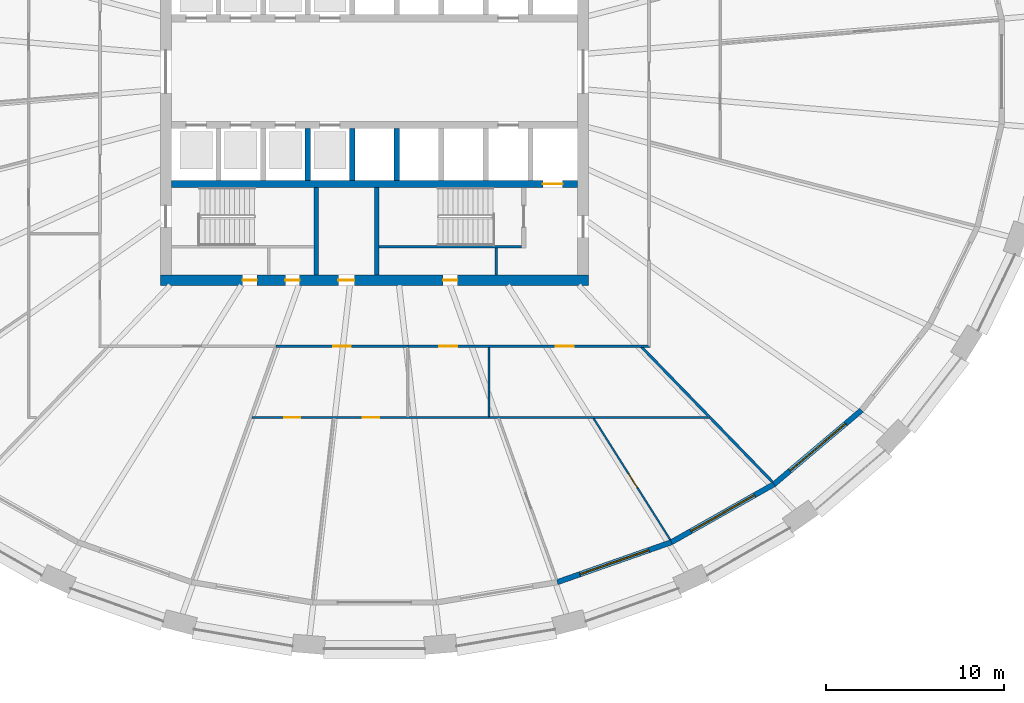
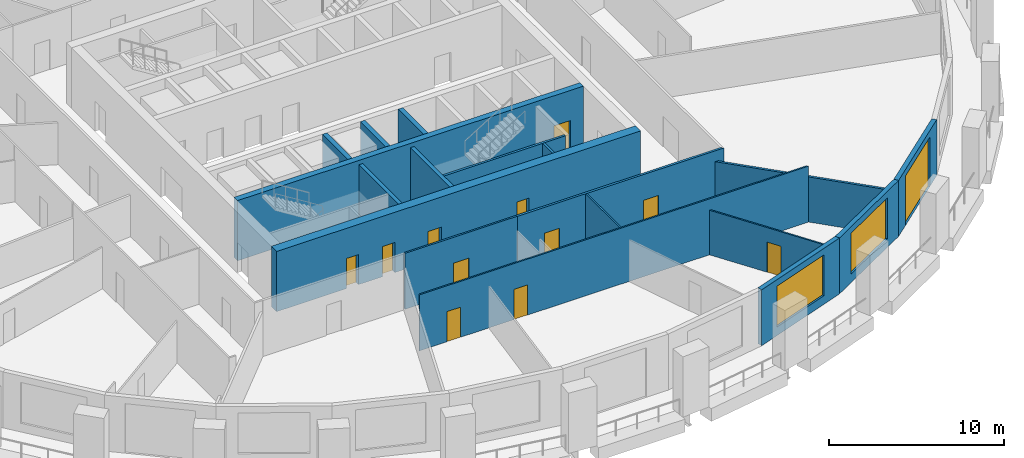
# One storey, part 4 of 12: 18 walls, 12 doors, 2 windows, 14 openings.
"""IFC4 building model written with IfcOpenShell, lengths in metres."""

import ifcopenshell
import ifcopenshell.guid

model = None  # the IFC model being written
_history = None  # IfcOwnerHistory: only IFC2X3 demands one
_inside = {}  # id of a spatial element -> (the spatial element, [elements in it])
_under = {}  # id of a project, library or spatial element -> (it, [spatial elements below it])
_declared = {}  # id of a project -> (the project, [libraries it declares])
_typed = {}  # id of a type object -> (the type object, [elements of that type])
_made_of = {}  # id of a material, layer set ... -> (it, [elements and type objects made of it])


def new_model(schema):
    """Start an empty IFC model of exactly this schema.

    Asked for "IFC4X3", IfcOpenShell would pick the latest addendum, in which some entities
    have other attributes; the version numbers below select the first issue.
    IFC2X3 requires an IfcOwnerHistory on every rooted entity: one is made here for all.
    """
    global model, _history
    if schema == "IFC4X3":
        model = ifcopenshell.file(schema_version=(4, 3, 0, 0))
    else:
        model = ifcopenshell.file(schema=schema)
    _inside.clear()
    _under.clear()
    _declared.clear()
    _typed.clear()
    _made_of.clear()
    _history = None
    if model.schema == "IFC2X3":
        org = make("IfcOrganization", Name="unknown")
        user = make(
            "IfcPersonAndOrganization",
            ThePerson=make("IfcPerson", FamilyName="unknown"),
            TheOrganization=org,
        )
        app = make(
            "IfcApplication",
            ApplicationDeveloper=org,
            Version="unknown",
            ApplicationFullName="unknown",
            ApplicationIdentifier="unknown",
        )
        _history = make(
            "IfcOwnerHistory",
            OwningUser=user,
            OwningApplication=app,
            ChangeAction="ADDED",
            CreationDate=0,
        )
    return model


def make(cls, **values):
    """One entity of the class cls with the attributes given. An attribute that is None is left unset."""
    return model.create_entity(
        cls, **{name: value for name, value in values.items() if value is not None}
    )


def rooted(cls, **values):
    """An entity with a GlobalId (a new one), such as an element, a storey or a relation."""
    return make(cls, GlobalId=ifcopenshell.guid.new(), OwnerHistory=_history, **values)


def si_unit(unit_type, name, prefix=None):
    """IfcSIUnit, for example si_unit("LENGTHUNIT", "METRE", prefix="MILLI")."""
    return make("IfcSIUnit", UnitType=unit_type, Prefix=prefix, Name=name)


def assignment(units):
    """IfcUnitAssignment: the units of a project."""
    return None if units is None else make("IfcUnitAssignment", Units=units)


def point(xyz):
    """IfcCartesianPoint."""
    return None if xyz is None else make("IfcCartesianPoint", Coordinates=xyz)


def direction(xyz):
    """IfcDirection."""
    return None if xyz is None else make("IfcDirection", DirectionRatios=xyz)


def frame(location, z_axis=None, x_axis=None):
    """IfcAxis2Placement3D, a coordinate frame: its origin and axes. An axis left out is left unset."""
    return make(
        "IfcAxis2Placement3D",
        Location=point(location),
        Axis=direction(z_axis),
        RefDirection=direction(x_axis),
    )


def frame_2d(location, x_axis=None):
    """IfcAxis2Placement2D, a coordinate frame in the plane: its origin and x axis."""
    return make(
        "IfcAxis2Placement2D", Location=point(location), RefDirection=direction(x_axis)
    )


def origin():
    """The frame at (0, 0, 0) with its axes left unset."""
    return frame((0.0, 0.0, 0.0))


def place(relative_to, where):
    """IfcLocalPlacement: puts the frame where relative to a parent placement (None: the world)."""
    return make(
        "IfcLocalPlacement", PlacementRelTo=relative_to, RelativePlacement=where
    )


def context(
    kind, dimensions, precision=None, world=None, true_north=None, identifier=None
):
    """IfcGeometricRepresentationContext, for example the 3D "Model" context."""
    return make(
        "IfcGeometricRepresentationContext",
        ContextIdentifier=identifier,
        ContextType=kind,
        CoordinateSpaceDimension=dimensions,
        Precision=precision,
        WorldCoordinateSystem=world,
        TrueNorth=true_north,
    )


def subcontext(parent, identifier, kind, view, scale=None):
    """IfcGeometricRepresentationSubContext, for example "Body" below "Model"."""
    return make(
        "IfcGeometricRepresentationSubContext",
        ContextIdentifier=identifier,
        ContextType=kind,
        ParentContext=parent,
        TargetScale=scale,
        TargetView=view,
    )


def project(units=None, contexts=None):
    """IfcProject with its units and contexts."""
    return rooted(
        "IfcProject",
        Name="project",
        RepresentationContexts=contexts,
        UnitsInContext=assignment(units),
    )


def spatial(cls, under=None, at=None, **own):
    """A site, building, storey or space (cls), placed at a placement, below another one or the project."""
    s = rooted(cls, ObjectPlacement=at, **own)
    if under is not None:
        _under.setdefault(under.id(), (under, []))[1].append(s)
    return s


def polyline(points):
    """IfcPolyline through the points."""
    return make("IfcPolyline", Points=[point(p) for p in points])


def profile(cls, at=None, kind="AREA", **sizes):
    """A parametric profile (cls). Its sizes go by their IFC names, for example OverallWidth=200.0."""
    return make(cls, ProfileType=kind, Position=at, **sizes)


def rectangle(**sizes):
    """IfcRectangleProfileDef."""
    return profile("IfcRectangleProfileDef", **sizes)


def outline(outer, holes=None, kind="AREA"):
    """IfcArbitraryClosedProfileDef: a profile drawn as a closed curve; with holes, ...WithVoids."""
    if holes is None:
        return make("IfcArbitraryClosedProfileDef", ProfileType=kind, OuterCurve=outer)
    return make(
        "IfcArbitraryProfileDefWithVoids",
        ProfileType=kind,
        OuterCurve=outer,
        InnerCurves=holes,
    )


def extrude(swept, where, along, depth):
    """IfcExtrudedAreaSolid: the profile swept, set in the frame where, extruded along a direction by depth."""
    return make(
        "IfcExtrudedAreaSolid",
        SweptArea=swept,
        Position=where,
        ExtrudedDirection=direction(along),
        Depth=depth,
    )


def shape(context_of_items, identifier, shape_type, items):
    """IfcShapeRepresentation: the items that make up one representation, for example the "Body"."""
    return make(
        "IfcShapeRepresentation",
        ContextOfItems=context_of_items,
        RepresentationIdentifier=identifier,
        RepresentationType=shape_type,
        Items=items,
    )


def material(Name=None, Category=None):
    """IfcMaterial."""
    return make("IfcMaterial", Name=Name, Category=Category)


def layer(
    of_material, thickness, ventilated=None, Name=None, Category=None, Priority=None
):
    """IfcMaterialLayer: one layer of a wall or slab, of a material (None: an air gap)."""
    return make(
        "IfcMaterialLayer",
        Material=of_material,
        LayerThickness=thickness,
        IsVentilated=ventilated,
        Name=Name,
        Category=Category,
        Priority=Priority,
    )


def layer_set(layers, Name=None):
    """IfcMaterialLayerSet."""
    return make("IfcMaterialLayerSet", MaterialLayers=layers, LayerSetName=Name)


def made_of(thing, what):
    """Note that an element or type object is made of a material, layer set ...; save() writes the relation."""
    if what is not None:
        _made_of.setdefault(what.id(), (what, []))[1].append(thing)
    return thing


def type_object(cls, material=None, **own):
    """A type object (cls), such as IfcWallType, which elements share."""
    return made_of(rooted(cls, **own), material)


def element(
    cls,
    number,
    at=None,
    inside=None,
    cuts=None,
    type_object=None,
    material=None,
    context=None,
    identifier="Body",
    shape_type=None,
    held_by="IfcProductDefinitionShape",
    body=None,
    shapes=None,
    **own,
):
    """One element of the class cls, such as IfcWall. Its Tag is "e" and its number.

    at: its placement. inside: the storey or other place that contains it. cuts: it is an
    opening in that element (IfcRelVoidsElement). A single representation is given by context,
    identifier, shape_type and body (its items); several are given by shapes. held_by: the class
    of the entity that holds the representations. save() writes the other relations.
    """
    e = rooted(cls, Tag="e%d" % number, ObjectPlacement=at, **own)
    if body is not None:
        shapes = [shape(context, identifier, shape_type, body)]
    if shapes is not None:
        e.Representation = make(held_by, Representations=shapes)
    if inside is not None:
        _inside.setdefault(inside.id(), (inside, []))[1].append(e)
    if cuts is not None:
        rooted(
            "IfcRelVoidsElement", RelatingBuildingElement=cuts, RelatedOpeningElement=e
        )
    if type_object is not None:
        _typed.setdefault(type_object.id(), (type_object, []))[1].append(e)
    return made_of(e, material)


def fill(opening, filler):
    """IfcRelFillsElement: the door or window that sits in an opening."""
    return rooted(
        "IfcRelFillsElement",
        RelatingOpeningElement=opening,
        RelatedBuildingElement=filler,
    )


def aggregate(whole, parts):
    """IfcRelAggregates: a whole, such as a stair, and the parts it consists of."""
    return rooted("IfcRelAggregates", RelatingObject=whole, RelatedObjects=parts)


def save(model, path):
    """Write the relations noted so far, then the file.

    IfcRelAggregates (storeys below a building ...), IfcRelContainedInSpatialStructure (elements
    in a storey), IfcRelDefinesByType, IfcRelAssociatesMaterial and IfcRelDeclares: one each for
    every whole, place, type object, material and project.
    """
    for whole, parts in _under.values():
        aggregate(whole, parts)
    for where, things in _inside.values():
        rooted(
            "IfcRelContainedInSpatialStructure",
            RelatedElements=things,
            RelatingStructure=where,
        )
    for kind, things in _typed.values():
        rooted("IfcRelDefinesByType", RelatedObjects=things, RelatingType=kind)
    for what, things in _made_of.values():
        rooted("IfcRelAssociatesMaterial", RelatedObjects=things, RelatingMaterial=what)
    for by, libraries in _declared.values():
        rooted("IfcRelDeclares", RelatingContext=by, RelatedDefinitions=libraries)
    model.write(path)


model = new_model("IFC4")

# Units and contexts
model_context = context("Model", 3, precision=1e-05, world=origin(), true_north=direction((0.0, 1.0)))
body_context = subcontext(model_context, "Body", "Model", "MODEL_VIEW")
ifc_project = project(units=[si_unit("LENGTHUNIT", "METRE"), si_unit("AREAUNIT", "SQUARE_METRE"), si_unit("VOLUMEUNIT", "CUBIC_METRE"), si_unit("PLANEANGLEUNIT", "RADIAN"), si_unit("MASSUNIT", "GRAM", prefix="KILO")], contexts=[model_context])

# Site, building, storey
site_placement = place(None, origin())
site = spatial("IfcSite", under=ifc_project, at=site_placement, CompositionType="ELEMENT")
building_placement = place(site_placement, origin())
building = spatial("IfcBuilding", under=site, at=building_placement, Name="Halqa Exchange Tower", CompositionType="ELEMENT")
storey_placement = place(building_placement, frame((0.0, 0.0, 31.89990234375)))
storey = spatial("IfcBuildingStorey", under=building, at=storey_placement, Name="L06", CompositionType="ELEMENT", Elevation=31.89990234375)

# Wall, openings, doors
ifc_material_1 = material(Name="Fire-rated gypsum board")
ifc_layer_1 = layer(ifc_material_1, 0.14990234375)
ifc_layer_set_1 = layer_set([ifc_layer_1], Name="Fire-rated gypsum board")
wall_type_1 = type_object("IfcWallType", Name="Fire partition EI 60 150", PredefinedType="PARTITIONING", material=ifc_layer_set_1)
wall_1_placement = place(storey_placement, frame((1.8701171875, -15.39990234375, 0.0), z_axis=(0.0, 0.0, 1.0), x_axis=(1.0, 0.0, 0.0)))
wall_1 = element("IfcWall", 1, at=wall_1_placement, inside=storey, type_object=wall_type_1, Name="L06-PWL-030", PredefinedType="PARTITIONING", context=body_context, shape_type="SweptSolid", body=[
    extrude(outline(polyline([(0.0, -0.074951171875), (1.943603515625, -0.074951171875), (3.886962890625, -0.074951171875), (5.83056640625, -0.074951171875), (7.774169921875, -0.074951171875), (9.7177734375, -0.074951171875), (11.6611328125, -0.074951171875), (13.604736328125, -0.074951171875), (13.454833984375, 0.074951171875), (11.53271484375, 0.074951171875), (9.610595703125, 0.074951171875), (7.6884765625, 0.074951171875), (5.766357421875, 0.074951171875), (3.84423828125, 0.074951171875), (1.922119140625, 0.074951171875), (0.0, 0.074951171875), (0.0, -0.074951171875)])), origin(), (0.0, 0.0, 1.0), 3.900146484375),
])
opening_1_placement = place(wall_1_placement, frame((1.77490234375, 0.0, 0.0)))
opening_1 = element("IfcOpeningElement", 2, at=opening_1_placement, cuts=wall_1, Name="Opening 01-15", PredefinedType="OPENING", context=body_context, shape_type="SweptSolid", body=[
    extrude(rectangle(XDim=1.0, YDim=2.10009765625, at=frame_2d((0.5, 1.050048828125))), frame((0.0, 0.0869140625, 0.0), z_axis=(0.0, -1.0, 0.0), x_axis=(1.0, 0.0, 0.0)), (0.0, 0.0, 1.0), 0.173828125),
])
opening_2_placement = place(wall_1_placement, frame((8.31005859375, 0.0, 0.0)))
opening_2 = element("IfcOpeningElement", 3, at=opening_2_placement, cuts=wall_1, Name="Opening 01-16", PredefinedType="OPENING", context=body_context, shape_type="SweptSolid", body=[
    extrude(rectangle(XDim=1.0, YDim=2.10009765625, at=frame_2d((0.5, 1.050048828125))), frame((0.0, 0.0869140625, 0.0), z_axis=(0.0, -1.0, 0.0), x_axis=(1.0, 0.0, 0.0)), (0.0, 0.0, 1.0), 0.173828125),
])
ifc_material_2 = material(Name="Steel fire door leaf", Category="steel")
door_type_1 = type_object("IfcDoorType", Name="Fire door FD30S 1000 x 2100", OperationType="SINGLE_SWING_LEFT", PredefinedType="DOOR", material=ifc_material_2)
door_1_placement = place(opening_1_placement, frame((1.0, 0.0, 0.0), z_axis=(0.0, 0.0, 1.0), x_axis=(-1.0, 0.0, 0.0)))
door_1 = element("IfcDoor", 4, at=door_1_placement, inside=storey, type_object=door_type_1, Name="L06-IDR-015", OperationType="SINGLE_SWING_RIGHT", OverallHeight=2.10009765625, OverallWidth=1.0, PredefinedType="DOOR", context=body_context, shape_type="SweptSolid", body=[
    extrude(rectangle(XDim=1.0, YDim=2.10009765625, at=frame_2d((0.5, 1.050048828125))), frame((0.0, 0.02490234375, 0.0), z_axis=(0.0, -1.0, 0.0), x_axis=(1.0, 0.0, 0.0)), (0.0, 0.0, 1.0), 0.050048828125),
])
fill(opening_1, door_1)
door_2_placement = place(opening_2_placement, frame((1.0, 0.0, 0.0), z_axis=(0.0, 0.0, 1.0), x_axis=(-1.0, 0.0, 0.0)))
door_2 = element("IfcDoor", 5, at=door_2_placement, inside=storey, type_object=door_type_1, Name="L06-IDR-016", OperationType="SINGLE_SWING_RIGHT", OverallHeight=2.10009765625, OverallWidth=1.0, PredefinedType="DOOR", context=body_context, shape_type="SweptSolid", body=[
    extrude(rectangle(XDim=1.0, YDim=2.10009765625, at=frame_2d((0.5, 1.050048828125))), frame((0.0, 0.02490234375, 0.0), z_axis=(0.0, -1.0, 0.0), x_axis=(1.0, 0.0, 0.0)), (0.0, 0.0, 1.0), 0.050048828125),
])
fill(opening_2, door_2)

# Wall
wall_2_placement = place(storey_placement, frame((14.96240234375, -15.423095703125, 0.0), z_axis=(0.0, 0.0, 1.0), x_axis=(0.69624947088, -0.717799884578, 0.0)))
element("IfcWall", 6, at=wall_2_placement, inside=storey, type_object=wall_type_1, Name="L06-PWL-038", PredefinedType="PARTITIONING", context=body_context, shape_type="SweptSolid", body=[
    extrude(outline(polyline([(0.0, -0.074951171875), (1.79931640625, -0.074951171875), (3.5986328125, -0.074951171875), (5.39794921875, -0.074951171875), (5.46533203125, -0.005615234375), (5.53662109375, -0.074951171875), (7.21044921875, -0.074951171875), (8.884033203125, -0.074951171875), (10.557861328125, -0.074951171875), (10.558349609375, -0.0732421875), (10.558349609375, 0.074951171875), (8.82275390625, 0.074951171875), (7.087158203125, 0.074951171875), (5.3515625, 0.074951171875), (3.6162109375, 0.074951171875), (1.880615234375, 0.074951171875), (0.14501953125, 0.074951171875), (0.0, -0.074462890625), (0.0, -0.074951171875)])), origin(), (0.0, 0.0, 1.0), 3.147216796875),
])

# Wall, opening, door
ifc_material_3 = material(Name="Fire-rated glazing", Category="glass")
ifc_layer_2 = layer(ifc_material_3, 0.1201171875)
ifc_layer_set_2 = layer_set([ifc_layer_2], Name="Fire-rated glazing")
wall_type_2 = type_object("IfcWallType", Name="Glazed fire partition EI 60 120", PredefinedType="PARTITIONING", material=ifc_layer_set_2)
wall_3_placement = place(storey_placement, frame((1.8701171875, -15.39990234375, 0.0), z_axis=(0.0, 0.0, 1.0), x_axis=(-1.0, 0.0, 0.0)))
wall_3 = element("IfcWall", 7, at=wall_3_placement, inside=storey, type_object=wall_type_2, Name="L06-PWL-028", PredefinedType="PARTITIONING", context=body_context, shape_type="SweptSolid", body=[
    extrude(rectangle(XDim=7.39013671875, YDim=0.1201171875, at=frame_2d((3.695068359375, 0.0))), origin(), (0.0, 0.0, 1.0), 3.900146484375),
])
opening_3_placement = place(wall_3_placement, frame((3.195068359375, 0.0, 0.0)))
opening_3 = element("IfcOpeningElement", 8, at=opening_3_placement, cuts=wall_3, Name="Opening 01-14", PredefinedType="OPENING", context=body_context, shape_type="SweptSolid", body=[
    extrude(rectangle(XDim=1.0, YDim=2.10009765625, at=frame_2d((0.5, 1.050048828125))), frame((0.0, 0.072021484375, 0.0), z_axis=(0.0, -1.0, 0.0), x_axis=(1.0, 0.0, 0.0)), (0.0, 0.0, 1.0), 0.14404296875),
])
door_3_placement = place(opening_3_placement, origin())
door_3 = element("IfcDoor", 9, at=door_3_placement, inside=storey, type_object=door_type_1, Name="L06-IDR-014", OperationType="SINGLE_SWING_LEFT", OverallHeight=2.10009765625, OverallWidth=1.0, PredefinedType="DOOR", context=body_context, shape_type="SweptSolid", body=[
    extrude(rectangle(XDim=1.0, YDim=2.10009765625, at=frame_2d((0.5, 1.050048828125))), frame((0.0, 0.02490234375, 0.0), z_axis=(0.0, -1.0, 0.0), x_axis=(1.0, 0.0, 0.0)), (0.0, 0.0, 1.0), 0.050048828125),
])
fill(opening_3, door_3)

# Wall, openings, doors
ifc_material_4 = material(Name="Gypsum board")
ifc_layer_3 = layer(ifc_material_4, 0.10009765625)
ifc_layer_set_3 = layer_set([ifc_layer_3], Name="Gypsum board")
wall_type_3 = type_object("IfcWallType", Name="Partition 100 gypsum", PredefinedType="PARTITIONING", material=ifc_layer_set_3)
wall_4_placement = place(storey_placement, frame((-6.89404296875, -19.39990234375, 0.0), z_axis=(0.0, 0.0, 1.0), x_axis=(1.0, 0.0, 0.0)))
wall_4 = element("IfcWall", 10, at=wall_4_placement, inside=storey, type_object=wall_type_3, Name="L06-PWL-024", PredefinedType="PARTITIONING", context=body_context, shape_type="SweptSolid", body=[
    extrude(outline(polyline([(0.0, -0.050048828125), (1.52587890625, -0.050048828125), (3.052001953125, -0.050048828125), (4.577880859375, -0.050048828125), (4.578125, -0.049072265625), (4.587158203125, -0.050048828125), (6.4541015625, -0.050048828125), (8.321044921875, -0.050048828125), (10.18798828125, -0.050048828125), (12.05517578125, -0.050048828125), (13.922119140625, -0.050048828125), (13.9248046875, -0.049072265625), (13.925048828125, -0.050048828125), (15.6962890625, -0.050048828125), (17.467529296875, -0.050048828125), (19.23876953125, -0.050048828125), (19.2431640625, -0.04736328125), (19.24462890625, -0.050048828125), (20.847900390625, -0.050048828125), (22.451171875, -0.050048828125), (24.05419921875, -0.050048828125), (25.657470703125, -0.050048828125), (25.657470703125, -0.049560546875), (25.614013671875, -0.004638671875), (25.614013671875, -0.004638671875), (25.56103515625, 0.050048828125), (23.818603515625, 0.050048828125), (22.076171875, 0.050048828125), (20.333740234375, 0.050048828125), (18.59130859375, 0.050048828125), (16.848876953125, 0.050048828125), (15.1064453125, 0.050048828125), (13.364013671875, 0.050048828125), (13.364013671875, 0.0498046875), (13.26416015625, 0.0498046875), (13.26416015625, 0.050048828125), (11.78076171875, 0.050048828125), (10.29736328125, 0.050048828125), (8.81396484375, 0.050048828125), (8.81396484375, 0.0498046875), (8.714111328125, 0.0498046875), (8.714111328125, 0.050048828125), (6.978271484375, 0.050048828125), (5.24267578125, 0.050048828125), (3.507080078125, 0.050048828125), (1.771240234375, 0.050048828125), (0.03564453125, 0.050048828125), (0.0, -0.04931640625), (0.0, -0.050048828125)])), origin(), (0.0, 0.0, 1.0), 3.900146484375),
])
opening_4_placement = place(wall_4_placement, frame((6.2490234375, 0.0, 0.0)))
opening_4 = element("IfcOpeningElement", 11, at=opening_4_placement, cuts=wall_4, Name="Opening 01-28", PredefinedType="OPENING", context=body_context, shape_type="SweptSolid", body=[
    extrude(rectangle(XDim=0.89990234375, YDim=2.10009765625, at=frame_2d((0.449951171875, 1.050048828125))), frame((0.0, 0.06201171875, 0.0), z_axis=(0.0, -1.0, 0.0), x_axis=(1.0, 0.0, 0.0)), (0.0, 0.0, 1.0), 0.1240234375),
])
opening_5_placement = place(wall_4_placement, frame((1.833984375, 0.0, 0.0)))
opening_5 = element("IfcOpeningElement", 12, at=opening_5_placement, cuts=wall_4, Name="Opening 01-29", PredefinedType="OPENING", context=body_context, shape_type="SweptSolid", body=[
    extrude(rectangle(XDim=0.89990234375, YDim=2.10009765625, at=frame_2d((0.449951171875, 1.050048828125))), frame((0.0, 0.06201171875, 0.0), z_axis=(0.0, -1.0, 0.0), x_axis=(1.0, 0.0, 0.0)), (0.0, 0.0, 1.0), 0.1240234375),
])
ifc_material_5 = material(Name="Timber door leaf", Category="wood")
door_type_2 = type_object("IfcDoorType", Name="Door 900 x 2100", OperationType="SINGLE_SWING_LEFT", PredefinedType="DOOR", material=ifc_material_5)
door_4_placement = place(opening_4_placement, origin())
door_4 = element("IfcDoor", 13, at=door_4_placement, inside=storey, type_object=door_type_2, Name="L06-IDR-028", OperationType="SINGLE_SWING_LEFT", OverallHeight=2.10009765625, OverallWidth=0.89990234375, PredefinedType="DOOR", context=body_context, shape_type="SweptSolid", body=[
    extrude(rectangle(XDim=0.89990234375, YDim=2.10009765625, at=frame_2d((0.449951171875, 1.050048828125))), frame((0.0, 0.02490234375, 0.0), z_axis=(0.0, -1.0, 0.0), x_axis=(1.0, 0.0, 0.0)), (0.0, 0.0, 1.0), 0.050048828125),
])
fill(opening_4, door_4)
door_5_placement = place(opening_5_placement, origin())
door_5 = element("IfcDoor", 14, at=door_5_placement, inside=storey, type_object=door_type_2, Name="L06-IDR-029", OperationType="SINGLE_SWING_RIGHT", OverallHeight=2.10009765625, OverallWidth=0.89990234375, PredefinedType="DOOR", context=body_context, shape_type="SweptSolid", body=[
    extrude(rectangle(XDim=0.89990234375, YDim=2.10009765625, at=frame_2d((0.449951171875, 1.050048828125))), frame((0.0, 0.02490234375, 0.0), z_axis=(0.0, -1.0, 0.0), x_axis=(1.0, 0.0, 0.0)), (0.0, 0.0, 1.0), 0.050048828125),
])
fill(opening_5, door_5)

# Wall
wall_5_placement = place(storey_placement, frame((6.419921875, -15.47509765625, 0.0), z_axis=(0.0, 0.0, 1.0), x_axis=(0.0, -1.0, 0.0)))
element("IfcWall", 15, at=wall_5_placement, inside=storey, type_object=wall_type_3, Name="L06-PWL-032", PredefinedType="PARTITIONING", context=body_context, shape_type="SweptSolid", body=[
    extrude(rectangle(XDim=3.875, YDim=0.10009765625, at=frame_2d((1.9375, 0.0))), origin(), (0.0, 0.0, 1.0), 3.900146484375),
])

# Wall, opening, door
wall_6_placement = place(storey_placement, frame((12.27490234375, -19.423583984375, 0.0), z_axis=(0.0, 0.0, 1.0), x_axis=(0.533945273126, -0.845519038997, 0.0)))
wall_6 = element("IfcWall", 16, at=wall_6_placement, inside=storey, type_object=wall_type_3, Name="L06-PWL-035", PredefinedType="PARTITIONING", context=body_context, shape_type="SweptSolid", body=[
    extrude(outline(polyline([(0.0, -0.050048828125), (1.614013671875, -0.050048828125), (3.228271484375, -0.050048828125), (4.84228515625, -0.050048828125), (6.456298828125, -0.050048828125), (8.070556640625, -0.050048828125), (8.082763671875, 0.003173828125), (8.0849609375, 0.0498046875), (8.0849609375, 0.050048828125), (6.48046875, 0.050048828125), (4.876220703125, 0.050048828125), (3.271728515625, 0.050048828125), (1.667236328125, 0.050048828125), (0.062744140625, 0.050048828125), (0.0, -0.049560546875), (0.0, -0.050048828125)])), origin(), (0.0, 0.0, 1.0), 3.110107421875),
])
opening_6_placement = place(wall_6_placement, frame((3.7265625, 0.0, 0.0)))
opening_6 = element("IfcOpeningElement", 17, at=opening_6_placement, cuts=wall_6, Name="Opening 01-31", PredefinedType="OPENING", context=body_context, shape_type="SweptSolid", body=[
    extrude(rectangle(XDim=0.89990234375, YDim=2.10009765625, at=frame_2d((0.449951171875, 1.050048828125))), frame((0.0, 0.06201171875, 0.0), z_axis=(0.0, -1.0, 0.0), x_axis=(1.0, 0.0, 0.0)), (0.0, 0.0, 1.0), 0.1240234375),
])
door_6_placement = place(opening_6_placement, origin())
door_6 = element("IfcDoor", 18, at=door_6_placement, inside=storey, type_object=door_type_2, Name="L06-IDR-031", OperationType="SINGLE_SWING_RIGHT", OverallHeight=2.10009765625, OverallWidth=0.89990234375, PredefinedType="DOOR", context=body_context, shape_type="SweptSolid", body=[
    extrude(rectangle(XDim=0.89990234375, YDim=2.10009765625, at=frame_2d((0.449951171875, 1.050048828125))), frame((0.0, 0.02490234375, 0.0), z_axis=(0.0, -1.0, 0.0), x_axis=(1.0, 0.0, 0.0)), (0.0, 0.0, 1.0), 0.050048828125),
])
fill(opening_6, door_6)

# Walls
ifc_layer_4 = layer(ifc_material_4, 0.14990234375)
ifc_layer_set_4 = layer_set([ifc_layer_4], Name="Gypsum board")
wall_type_4 = type_object("IfcWallType", Name="Penthouse riser wall 150 gypsum", PredefinedType="PARTITIONING", material=ifc_layer_set_4)
wall_7_placement = place(storey_placement, frame((6.824951171875, -11.39990234375, 0.0), z_axis=(0.0, 0.0, 1.0), x_axis=(0.0, 1.0, 0.0)))
element("IfcWall", 19, at=wall_7_placement, inside=storey, type_object=wall_type_4, Name="Firefighting lobby west wall S", PredefinedType="PARTITIONING", context=body_context, shape_type="SweptSolid", body=[
    extrude(rectangle(XDim=1.5, YDim=0.14990234375, at=frame_2d((0.75, 0.0))), origin(), (0.0, 0.0, 1.0), 3.900146484375),
])
ifc_material_6 = material(Name="Concrete C60/75", Category="concrete")
ifc_layer_5 = layer(ifc_material_6, 0.300048828125)
ifc_layer_set_5 = layer_set([ifc_layer_5], Name="Concrete C60/75")
wall_type_5 = type_object("IfcWallType", Name="RC core wall 300", PredefinedType="SHEAR", material=ifc_layer_set_5)
for number, where, z_axis, x_axis, name in (
    (20, (-3.75, -6.10009765625, 0.0), (0.0, 0.0, 1.0), (0.0, 1.0, 0.0), "Shaft divider S3"),
    (21, (-1.25, -6.10009765625, 0.0), (0.0, 0.0, 1.0), (0.0, 1.0, 0.0), "Shaft divider S4"),
    (22, (1.25, -6.10009765625, 0.0), (0.0, 0.0, 1.0), (0.0, 1.0, 0.0), "Shaft divider S5"),
):
    element("IfcWall", number, at=place(storey_placement, frame(where, z_axis=z_axis, x_axis=x_axis)), inside=storey, type_object=wall_type_5, Name=name, PredefinedType="SHEAR", context=body_context, shape_type="SweptSolid", body=[
        extrude(rectangle(XDim=2.900146484375, YDim=0.300048828125, at=frame_2d((1.4501953125, 0.0))), origin(), (0.0, 0.0, 1.0), 4.2001953125),
    ])

# Wall, opening, door
ifc_material_7 = material(Name="Concrete C80/95", Category="concrete")
ifc_layer_6 = layer(ifc_material_7, 0.39990234375)
ifc_layer_set_6 = layer_set([ifc_layer_6], Name="Concrete C80/95")
wall_type_6 = type_object("IfcWallType", Name="RC core wall 400 C80/95", PredefinedType="SHEAR", material=ifc_layer_set_6)
wall_8_placement = place(storey_placement, frame((-11.39990234375, -6.300048828125, 0.0), z_axis=(0.0, 0.0, 1.0), x_axis=(1.0, 0.0, 0.0)))
wall_8 = element("IfcWall", 23, at=wall_8_placement, inside=storey, type_object=wall_type_6, Name="Lift row back wall S", PredefinedType="SHEAR", context=body_context, shape_type="SweptSolid", body=[
    extrude(rectangle(XDim=22.7998046875, YDim=0.39990234375, at=frame_2d((11.39990234375, 0.0))), origin(), (0.0, 0.0, 1.0), 4.2001953125),
])
opening_7_placement = place(wall_8_placement, frame((20.85009765625, 0.0, 0.0)))
opening_7 = element("IfcOpeningElement", 24, at=opening_7_placement, cuts=wall_8, Name="Opening LD-FF2-T01", PredefinedType="OPENING", context=body_context, shape_type="SweptSolid", body=[
    extrude(rectangle(XDim=1.10009765625, YDim=2.10009765625, at=frame_2d((0.550048828125, 1.050048828125))), frame((0.0, 0.2119140625, 0.0), z_axis=(0.0, -1.0, 0.0), x_axis=(1.0, 0.0, 0.0)), (0.0, 0.0, 1.0), 0.423828125),
])
ifc_material_8 = material(Name="Stainless steel", Category="steel")
door_type_3 = type_object("IfcDoorType", Name="Lift landing door 1100 x 2100", OperationType="SLIDING_TO_LEFT", PredefinedType="DOOR", material=ifc_material_8)
door_7_placement = place(opening_7_placement, origin())
door_7 = element("IfcDoor", 25, at=door_7_placement, inside=storey, type_object=door_type_3, Name="Lift landing door FF2", OperationType="SLIDING_TO_LEFT", OverallHeight=2.10009765625, OverallWidth=1.10009765625, PredefinedType="DOOR", context=body_context, shape_type="SweptSolid", body=[
    extrude(rectangle(XDim=1.10009765625, YDim=2.10009765625, at=frame_2d((0.550048828125, 1.050048828125))), frame((0.0, 0.02490234375, 0.0), z_axis=(0.0, -1.0, 0.0), x_axis=(1.0, 0.0, 0.0)), (0.0, 0.0, 1.0), 0.050048828125),
])
fill(opening_7, door_7)

# Wall, openings, doors
ifc_layer_7 = layer(ifc_material_7, 0.60009765625)
ifc_layer_set_7 = layer_set([ifc_layer_7], Name="Concrete C80/95")
wall_type_7 = type_object("IfcWallType", Name="RC core wall 600 C80/95", PredefinedType="SHEAR", material=ifc_layer_set_7)
wall_9_placement = place(storey_placement, frame((-12.0, -11.699951171875, 0.0), z_axis=(0.0, 0.0, 1.0), x_axis=(1.0, 0.0, 0.0)))
wall_9 = element("IfcWall", 26, at=wall_9_placement, inside=storey, type_object=wall_type_7, Name="Core wall south", PredefinedType="SHEAR", context=body_context, shape_type="SweptSolid", body=[
    extrude(rectangle(XDim=24.0, YDim=0.60009765625, at=frame_2d((12.0, 0.0))), origin(), (0.0, 0.0, 1.0), 4.2001953125),
])
opening_8_placement = place(wall_9_placement, frame((9.97509765625, 0.0, 0.0)))
opening_8 = element("IfcOpeningElement", 27, at=opening_8_placement, cuts=wall_9, Name="Opening T01-C25", PredefinedType="OPENING", context=body_context, shape_type="SweptSolid", body=[
    extrude(rectangle(XDim=0.89990234375, YDim=2.10009765625, at=frame_2d((0.449951171875, 1.050048828125))), frame((0.0, 0.31201171875, 0.0), z_axis=(0.0, -1.0, 0.0), x_axis=(1.0, 0.0, 0.0)), (0.0, 0.0, 1.0), 0.6240234375),
])
opening_9_placement = place(wall_9_placement, frame((4.60009765625, 0.0, 0.0)))
opening_9 = element("IfcOpeningElement", 28, at=opening_9_placement, cuts=wall_9, Name="Opening T01-C26", PredefinedType="OPENING", context=body_context, shape_type="SweptSolid", body=[
    extrude(rectangle(XDim=0.800048828125, YDim=2.10009765625, at=frame_2d((0.39990234375, 1.050048828125))), frame((0.0, 0.31201171875, 0.0), z_axis=(0.0, -1.0, 0.0), x_axis=(1.0, 0.0, 0.0)), (0.0, 0.0, 1.0), 0.6240234375),
])
opening_10_placement = place(wall_9_placement, frame((7.0, 0.0, 0.0)))
opening_10 = element("IfcOpeningElement", 29, at=opening_10_placement, cuts=wall_9, Name="Opening T01-C27", PredefinedType="OPENING", context=body_context, shape_type="SweptSolid", body=[
    extrude(rectangle(XDim=0.800048828125, YDim=2.10009765625, at=frame_2d((0.39990234375, 1.050048828125))), frame((0.0, 0.31201171875, 0.0), z_axis=(0.0, -1.0, 0.0), x_axis=(1.0, 0.0, 0.0)), (0.0, 0.0, 1.0), 0.6240234375),
])
opening_11_placement = place(wall_9_placement, frame((15.85009765625, 0.0, 0.0)))
opening_11 = element("IfcOpeningElement", 30, at=opening_11_placement, cuts=wall_9, Name="Opening T01-C28", PredefinedType="OPENING", context=body_context, shape_type="SweptSolid", body=[
    extrude(rectangle(XDim=0.800048828125, YDim=2.10009765625, at=frame_2d((0.39990234375, 1.050048828125))), frame((0.0, 0.31201171875, 0.0), z_axis=(0.0, -1.0, 0.0), x_axis=(1.0, 0.0, 0.0)), (0.0, 0.0, 1.0), 0.6240234375),
])
ifc_material_9 = material(Name="Timber fire door leaf", Category="wood")
door_type_4 = type_object("IfcDoorType", Name="Core room door FD30 900 x 2100", OperationType="SINGLE_SWING_LEFT", PredefinedType="DOOR", material=ifc_material_9)
door_8_placement = place(opening_8_placement, origin())
door_8 = element("IfcDoor", 31, at=door_8_placement, inside=storey, type_object=door_type_4, Name="Core room door", OperationType="SINGLE_SWING_LEFT", OverallHeight=2.10009765625, OverallWidth=0.89990234375, PredefinedType="DOOR", context=body_context, shape_type="SweptSolid", body=[
    extrude(rectangle(XDim=0.89990234375, YDim=2.10009765625, at=frame_2d((0.449951171875, 1.050048828125))), frame((0.0, 0.02490234375, 0.0), z_axis=(0.0, -1.0, 0.0), x_axis=(1.0, 0.0, 0.0)), (0.0, 0.0, 1.0), 0.050048828125),
])
fill(opening_8, door_8)
door_type_5 = type_object("IfcDoorType", Name="Riser door FD60 800 x 2100", OperationType="SINGLE_SWING_LEFT", PredefinedType="DOOR", material=ifc_material_2)
door_9_placement = place(opening_9_placement, origin())
door_9 = element("IfcDoor", 32, at=door_9_placement, inside=storey, type_object=door_type_5, Name="Core room door", OperationType="SINGLE_SWING_LEFT", OverallHeight=2.10009765625, OverallWidth=0.800048828125, PredefinedType="DOOR", context=body_context, shape_type="SweptSolid", body=[
    extrude(rectangle(XDim=0.800048828125, YDim=2.10009765625, at=frame_2d((0.39990234375, 1.050048828125))), frame((0.0, 0.02490234375, 0.0), z_axis=(0.0, -1.0, 0.0), x_axis=(1.0, 0.0, 0.0)), (0.0, 0.0, 1.0), 0.050048828125),
])
fill(opening_9, door_9)
door_10_placement = place(opening_10_placement, origin())
door_10 = element("IfcDoor", 33, at=door_10_placement, inside=storey, type_object=door_type_5, Name="Core room door", OperationType="SINGLE_SWING_LEFT", OverallHeight=2.10009765625, OverallWidth=0.800048828125, PredefinedType="DOOR", context=body_context, shape_type="SweptSolid", body=[
    extrude(rectangle(XDim=0.800048828125, YDim=2.10009765625, at=frame_2d((0.39990234375, 1.050048828125))), frame((0.0, 0.02490234375, 0.0), z_axis=(0.0, -1.0, 0.0), x_axis=(1.0, 0.0, 0.0)), (0.0, 0.0, 1.0), 0.050048828125),
])
fill(opening_10, door_10)
door_11_placement = place(opening_11_placement, origin())
door_11 = element("IfcDoor", 34, at=door_11_placement, inside=storey, type_object=door_type_5, Name="Core room door", OperationType="SINGLE_SWING_LEFT", OverallHeight=2.10009765625, OverallWidth=0.800048828125, PredefinedType="DOOR", context=body_context, shape_type="SweptSolid", body=[
    extrude(rectangle(XDim=0.800048828125, YDim=2.10009765625, at=frame_2d((0.39990234375, 1.050048828125))), frame((0.0, 0.02490234375, 0.0), z_axis=(0.0, -1.0, 0.0), x_axis=(1.0, 0.0, 0.0)), (0.0, 0.0, 1.0), 0.050048828125),
])
fill(opening_11, door_11)

# Walls
ifc_material_10 = material(Name="Concrete C30/37", Category="concrete")
ifc_layer_8 = layer(ifc_material_10, 0.14990234375)
ifc_layer_set_8 = layer_set([ifc_layer_8], Name="Concrete C30/37")
wall_type_8 = type_object("IfcWallType", Name="RC stair wall 150 C30/37", PredefinedType="SHEAR", material=ifc_layer_set_8)
wall_10_placement = place(storey_placement, frame((0.25, -9.824951171875, 0.0), z_axis=(0.0, 0.0, 1.0), x_axis=(1.0, 0.0, 0.0)))
element("IfcWall", 35, at=wall_10_placement, inside=storey, type_object=wall_type_8, Name="Stair ST2 north wall S", PredefinedType="SHEAR", context=body_context, shape_type="SweptSolid", body=[
    extrude(rectangle(XDim=8.0, YDim=0.14990234375, at=frame_2d((4.0, 0.0))), origin(), (0.0, 0.0, 1.0), 3.900146484375),
])
ifc_layer_9 = layer(ifc_material_10, 0.25)
ifc_layer_set_9 = layer_set([ifc_layer_9], Name="Concrete C30/37")
wall_type_9 = type_object("IfcWallType", Name="RC stair wall 250 C30/37", PredefinedType="SHEAR", material=ifc_layer_set_9)
for number, where, z_axis, x_axis, name in (
    (36, (-3.27490234375, -11.39990234375, 0.0), (0.0, 0.0, 1.0), (0.0, 1.0, 0.0), "Stair ST1 east wall S"),
    (37, (0.125, -11.39990234375, 0.0), (0.0, 0.0, 1.0), (0.0, 1.0, 0.0), "Stair ST2 west wall S"),
):
    element("IfcWall", number, at=place(storey_placement, frame(where, z_axis=z_axis, x_axis=x_axis)), inside=storey, type_object=wall_type_9, Name=name, PredefinedType="SHEAR", context=body_context, shape_type="SweptSolid", body=[
        extrude(rectangle(XDim=4.89990234375, YDim=0.25, at=frame_2d((2.449951171875, 0.0))), origin(), (0.0, 0.0, 1.0), 3.900146484375),
    ])

# Wall, opening, window
ifc_material_11 = material(Name="Limestone cladding", Category="masonry")
ifc_layer_10 = layer(ifc_material_11, 0.0400390625)
ifc_material_12 = material(Name="Ventilated cavity")
ifc_layer_11 = layer(ifc_material_12, 0.030029296875, ventilated=True)
ifc_material_13 = material(Name="Mineral wool insulation")
ifc_layer_12 = layer(ifc_material_13, 0.10009765625)
ifc_layer_13 = layer(ifc_material_10, 0.10009765625)
ifc_material_14 = material(Name="Internal plaster")
ifc_layer_14 = layer(ifc_material_14, 0.030029296875)
ifc_layer_set_10 = layer_set([ifc_layer_10, ifc_layer_11, ifc_layer_12, ifc_layer_13, ifc_layer_14], Name="Stone-faced insulated wall 300")
wall_type_10 = type_object("IfcWallType", Name="Stone-faced insulated wall 300", PredefinedType="STANDARD", material=ifc_layer_set_10)
wall_11_placement = place(storey_placement, frame((10.255615234375, -28.63525390625, 0.0), z_axis=(0.0, 0.0, 1.0), x_axis=(0.943767392455, 0.330610206947, 0.0)))
wall_11 = element("IfcWall", 38, at=wall_11_placement, inside=storey, type_object=wall_type_10, Name="Glass-line wall 26", PredefinedType="STANDARD", context=body_context, shape_type="SweptSolid", body=[
    extrude(outline(polyline([(-0.0126953125, -0.14990234375), (6.794677734375, -0.14990234375), (6.767822265625, 0.14990234375), (0.0126953125, 0.14990234375), (-0.0126953125, -0.14990234375)])), origin(), (0.0, 0.0, 1.0), 3.900146484375),
])
opening_12_placement = place(wall_11_placement, frame((1.340576171875, 0.0, 0.60009765625)))
opening_12 = element("IfcOpeningElement", 39, at=opening_12_placement, cuts=wall_11, Name="Opening W-F1-26", PredefinedType="OPENING", context=body_context, shape_type="SweptSolid", body=[
    extrude(rectangle(XDim=4.10009765625, YDim=2.85009765625, at=frame_2d((2.050048828125, 1.425048828125))), frame((0.0, 0.162109375, 0.0), z_axis=(0.0, -1.0, 0.0), x_axis=(1.0, 0.0, 0.0)), (0.0, 0.0, 1.0), 0.323974609375),
])
ifc_material_15 = material(Name="Clear low-emissivity glass in aluminium frame", Category="aluminium")
window_type = type_object("IfcWindowType", Name="Fixed clear glazed window 4100 x 2850", PartitioningType="TRIPLE_PANEL_VERTICAL", PredefinedType="WINDOW", material=ifc_material_15)
window_1_placement = place(opening_12_placement, origin())
window_1 = element("IfcWindow", 40, at=window_1_placement, inside=storey, type_object=window_type, Name="Window 1", OverallHeight=2.85009765625, OverallWidth=4.10009765625, PartitioningType="TRIPLE_PANEL_VERTICAL", PredefinedType="WINDOW", context=body_context, shape_type="SweptSolid", body=[
    extrude(rectangle(XDim=4.10009765625, YDim=2.85009765625, at=frame_2d((2.050048828125, 1.425048828125))), frame((0.0, 0.030029296875, 0.0), z_axis=(0.0, -1.0, 0.0), x_axis=(1.0, 0.0, 0.0)), (0.0, 0.0, 1.0), 0.06005859375),
])
fill(opening_12, window_1)

wall_12_placement = place(storey_placement, frame((16.655517578125, -26.393310546875, 0.0), z_axis=(0.0, 0.0, 1.0), x_axis=(0.8705786416, 0.492029296678, 0.0)))
wall_12 = element("IfcWall", 41, at=wall_12_placement, inside=storey, type_object=wall_type_10, Name="Glass-line wall 27", PredefinedType="STANDARD", context=body_context, shape_type="SweptSolid", body=[
    extrude(outline(polyline([(-0.013427734375, -0.14990234375), (6.6318359375, -0.14990234375), (6.603515625, 0.14990234375), (0.013427734375, 0.14990234375), (-0.013427734375, -0.14990234375)])), origin(), (0.0, 0.0, 1.0), 3.900146484375),
])
opening_13_placement = place(wall_12_placement, frame((1.2587890625, 0.0, 0.60009765625)))
opening_13 = element("IfcOpeningElement", 42, at=opening_13_placement, cuts=wall_12, Name="Opening W-F1-27", PredefinedType="OPENING", context=body_context, shape_type="SweptSolid", body=[
    extrude(rectangle(XDim=4.10009765625, YDim=2.85009765625, at=frame_2d((2.050048828125, 1.425048828125))), frame((0.0, 0.162109375, 0.0), z_axis=(0.0, -1.0, 0.0), x_axis=(1.0, 0.0, 0.0)), (0.0, 0.0, 1.0), 0.323974609375),
])
window_2_placement = place(opening_13_placement, origin())
window_2 = element("IfcWindow", 43, at=window_2_placement, inside=storey, type_object=window_type, Name="Window 1", OverallHeight=2.85009765625, OverallWidth=4.10009765625, PartitioningType="TRIPLE_PANEL_VERTICAL", PredefinedType="WINDOW", context=body_context, shape_type="SweptSolid", body=[
    extrude(rectangle(XDim=4.10009765625, YDim=2.85009765625, at=frame_2d((2.050048828125, 1.425048828125))), frame((0.0, 0.030029296875, 0.0), z_axis=(0.0, -1.0, 0.0), x_axis=(1.0, 0.0, 0.0)), (0.0, 0.0, 1.0), 0.06005859375),
])
fill(opening_13, window_2)

# Wall, opening, door
wall_13_placement = place(storey_placement, frame((22.416748046875, -23.13720703125, 0.0), z_axis=(0.0, 0.0, 1.0), x_axis=(0.763540615407, 0.645759807223, 0.0)))
wall_13 = element("IfcWall", 44, at=wall_13_placement, inside=storey, type_object=wall_type_10, Name="Glass-line wall 28", PredefinedType="STANDARD", context=body_context, shape_type="SweptSolid", body=[
    extrude(outline(polyline([(-0.01416015625, -0.14990234375), (6.434814453125, -0.14990234375), (6.404541015625, 0.14990234375), (0.01416015625, 0.14990234375), (-0.01416015625, -0.14990234375)])), origin(), (0.0, 0.0, 1.0), 3.900146484375),
])
opening_14_placement = place(wall_13_placement, frame((1.159912109375, 0.0, 0.0)))
opening_14 = element("IfcOpeningElement", 45, at=opening_14_placement, cuts=wall_13, Name="Opening LG-F1-07", PredefinedType="OPENING", context=body_context, shape_type="SweptSolid", body=[
    extrude(rectangle(XDim=4.10009765625, YDim=3.449951171875, at=frame_2d((2.050048828125, 1.72509765625))), frame((0.0, 0.162109375, 0.0), z_axis=(0.0, -1.0, 0.0), x_axis=(1.0, 0.0, 0.0)), (0.0, 0.0, 1.0), 0.323974609375),
])
door_type_6 = type_object("IfcDoorType", Name="Glazed sliding loggia door 4100 x 3450", OperationType="DOUBLE_DOOR_SLIDING", PredefinedType="DOOR", material=ifc_material_15)
door_12_placement = place(opening_14_placement, origin())
door_12 = element("IfcDoor", 46, at=door_12_placement, inside=storey, type_object=door_type_6, Name="Loggia door 7", OperationType="DOUBLE_DOOR_SLIDING", OverallHeight=3.449951171875, OverallWidth=4.10009765625, PredefinedType="DOOR", context=body_context, shape_type="SweptSolid", body=[
    extrude(rectangle(XDim=4.10009765625, YDim=3.449951171875, at=frame_2d((2.050048828125, 1.72509765625))), frame((0.0, 0.02490234375, 0.0), z_axis=(0.0, -1.0, 0.0), x_axis=(1.0, 0.0, 0.0)), (0.0, 0.0, 1.0), 0.050048828125),
])
fill(opening_14, door_12)

save(model, "model.ifc")
